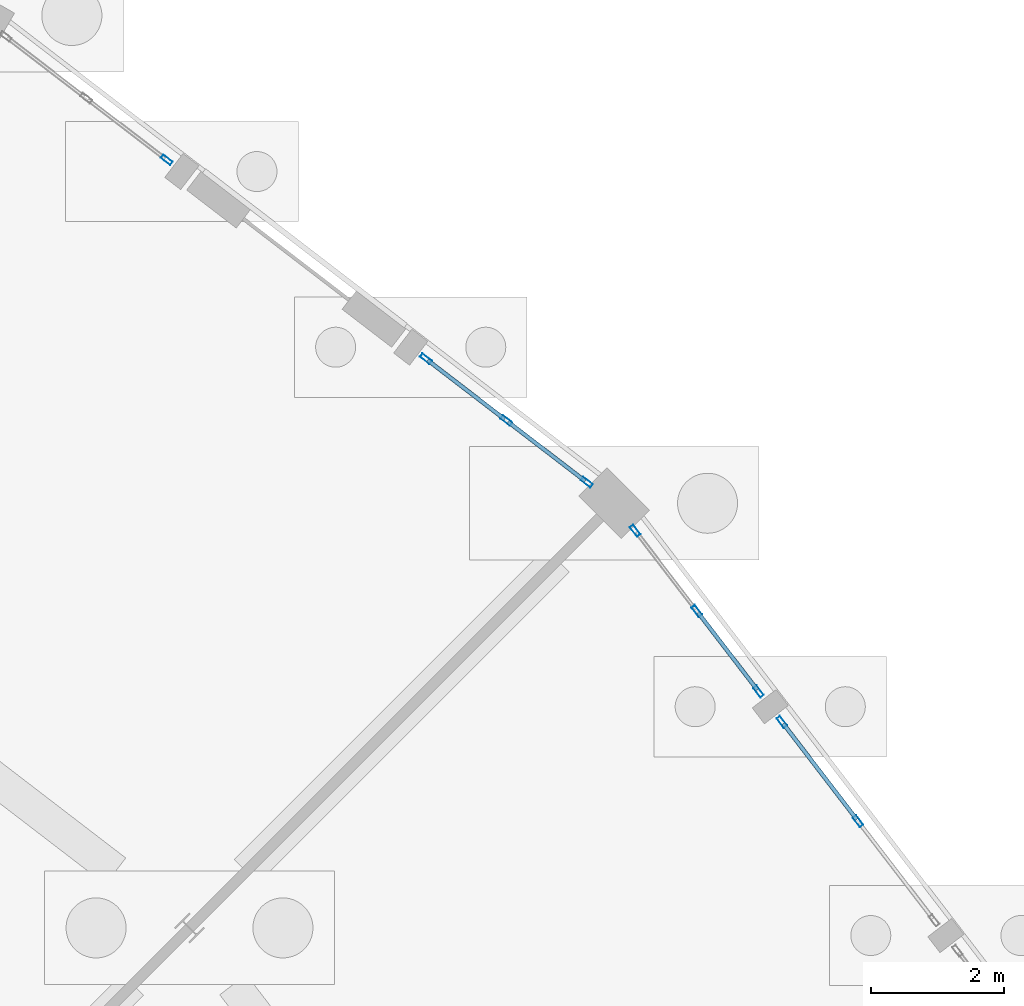
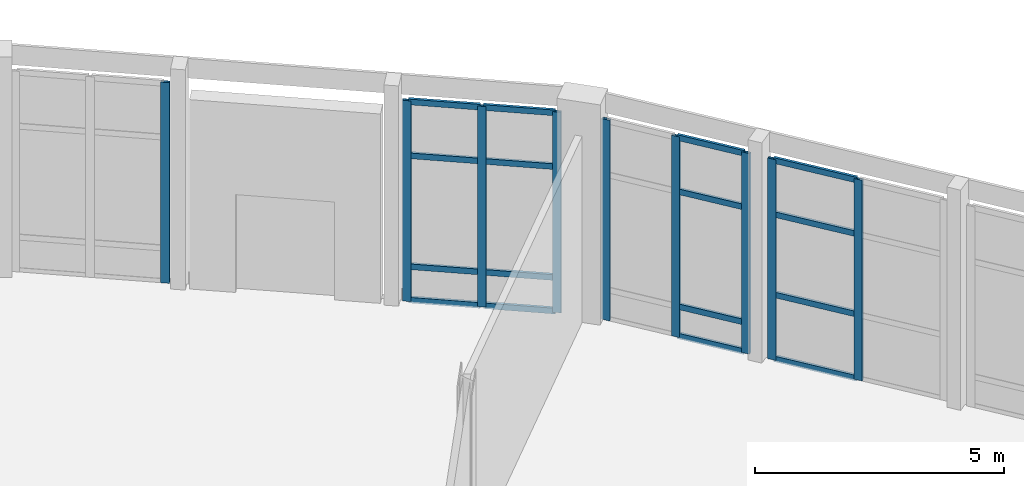
# One storey, part 81 of 137: 25 members, 4 elements without a shape of their own.
"""IFC4 building model written with IfcOpenShell, lengths in metres."""

from ifc_helpers import new_model, si_unit, direction, frame, origin, origin_2d, place, context, subcontext, project, spatial, hollow_rectangle, extrude, material, material_profile, profile_set, type_object, element, aggregate, save


model = new_model("IFC4")

# Units and contexts
model_context = context("Model", 3, precision=1e-05, world=origin(), true_north=direction((0.0, 1.0)))
body_context = subcontext(model_context, "Body", "Model", "MODEL_VIEW")
ifc_project = project(units=[si_unit("LENGTHUNIT", "METRE"), si_unit("AREAUNIT", "SQUARE_METRE"), si_unit("VOLUMEUNIT", "CUBIC_METRE"), si_unit("PLANEANGLEUNIT", "RADIAN"), si_unit("MASSUNIT", "GRAM", prefix="KILO")], contexts=[model_context])

# Site, building, storey
site_placement = place(None, origin())
site = spatial("IfcSite", under=ifc_project, at=site_placement, CompositionType="ELEMENT")
building_placement = place(site_placement, origin())
building = spatial("IfcBuilding", under=site, at=building_placement, Name="Vondelvale Polytechnic", CompositionType="ELEMENT")
storey_placement = place(building_placement, origin())
storey = spatial("IfcBuildingStorey", under=building, at=storey_placement, Name="L00", CompositionType="ELEMENT", Elevation=0.0)

# Curtain wall, members
ifc_material_1 = material(Name="Glulam GL18 structural Tasmanian oak (fb = 42 MPa)", Category="wood")
curtain_wall_type = type_object("IfcCurtainWallType", Name="CW-RING-OUTER", PredefinedType="NOTDEFINED", material=ifc_material_1)
curtain_wall_1_placement = place(storey_placement, origin())
curtain_wall_1 = element("IfcCurtainWall", 1, at=curtain_wall_1_placement, inside=storey, type_object=curtain_wall_type, Name="L00 architectural curtain wall CW-04-087", PredefinedType="NOTDEFINED")
ifc_material_2 = material(Name="Anodised extruded aluminium 6063-T6", Category="aluminium")
ifc_material_profile_1 = material_profile(ifc_material_2, hollow_rectangle(XDim=0.06494140625, YDim=0.179931640625, WallThickness=0.00390625, at=origin_2d()), Name="CW-MUL-180x65")
ifc_profile_set_1 = profile_set([ifc_material_profile_1], Name="Anodised extruded aluminium 6063-T6")
member_type_1 = type_object("IfcMemberType", Name="CW-MUL-65x180", PredefinedType="MULLION", material=ifc_profile_set_1)
member_1_placement = place(storey_placement, frame((138.18212890625, 99.763427734375, 0.0), z_axis=(0.0, 0.0, 1.0), x_axis=(-0.793345851043, -0.608771189063, 0.0)))
member_1 = element("IfcMember", 2, at=member_1_placement, type_object=member_type_1, Name="CW-04-087 mullion 2", PredefinedType="MULLION", context=body_context, shape_type="SweptSolid", body=[
    extrude(hollow_rectangle(XDim=0.06494140625, YDim=0.179931640625, WallThickness=0.00390625, at=origin_2d()), origin(), (0.0, 0.0, 1.0), 4.919921875),
])
member_2_placement = place(storey_placement, frame((137.041259765625, 101.250244140625, 0.0), z_axis=(0.0, 0.0, 1.0), x_axis=(-0.793345851043, -0.608771189063, 0.0)))
member_2 = element("IfcMember", 3, at=member_2_placement, type_object=member_type_1, Name="CW-04-087 mullion 3", PredefinedType="MULLION", context=body_context, shape_type="SweptSolid", body=[
    extrude(hollow_rectangle(XDim=0.06494140625, YDim=0.179931640625, WallThickness=0.00390625, at=origin_2d()), origin(), (0.0, 0.0, 1.0), 4.919921875),
])

curtain_wall_2_placement = place(storey_placement, origin())
curtain_wall_2 = element("IfcCurtainWall", 4, at=curtain_wall_2_placement, inside=storey, type_object=curtain_wall_type, Name="L00 architectural curtain wall CW-04-088", PredefinedType="NOTDEFINED")
member_3_placement = place(storey_placement, frame((136.691162109375, 101.706298828125, 0.0), z_axis=(0.0, 0.0, 1.0), x_axis=(-0.793351666305, -0.608763610584, 0.0)))
member_3 = element("IfcMember", 5, at=member_3_placement, type_object=member_type_1, Name="CW-04-088 mullion 1", PredefinedType="MULLION", context=body_context, shape_type="SweptSolid", body=[
    extrude(hollow_rectangle(XDim=0.06494140625, YDim=0.179931640625, WallThickness=0.00390625, at=origin_2d()), origin(), (0.0, 0.0, 1.0), 4.919921875),
])
member_4_placement = place(storey_placement, frame((135.766357421875, 102.911865234375, 0.0), z_axis=(0.0, 0.0, 1.0), x_axis=(-0.793351666305, -0.608763610584, 0.0)))
member_4 = element("IfcMember", 6, at=member_4_placement, type_object=member_type_1, Name="CW-04-088 mullion 2", PredefinedType="MULLION", context=body_context, shape_type="SweptSolid", body=[
    extrude(hollow_rectangle(XDim=0.06494140625, YDim=0.179931640625, WallThickness=0.00390625, at=origin_2d()), origin(), (0.0, 0.0, 1.0), 4.919921875),
])
member_5_placement = place(storey_placement, frame((134.84130859375, 104.1171875, 0.0), z_axis=(0.0, 0.0, 1.0), x_axis=(-0.793351666305, -0.608763610584, 0.0)))
member_5 = element("IfcMember", 7, at=member_5_placement, type_object=member_type_1, Name="CW-04-088 mullion 3", PredefinedType="MULLION", context=body_context, shape_type="SweptSolid", body=[
    extrude(hollow_rectangle(XDim=0.06494140625, YDim=0.179931640625, WallThickness=0.00390625, at=origin_2d()), origin(), (0.0, 0.0, 1.0), 4.919921875),
])

curtain_wall_3_placement = place(storey_placement, origin())
curtain_wall_3 = element("IfcCurtainWall", 8, at=curtain_wall_3_placement, inside=storey, type_object=curtain_wall_type, Name="L00 architectural curtain wall CW-04-098", PredefinedType="NOTDEFINED")
member_6_placement = place(storey_placement, frame((134.1171875, 104.84130859375, 0.0), z_axis=(0.0, 0.0, 1.0), x_axis=(-0.608763610584, -0.793351666305, 0.0)))
member_6 = element("IfcMember", 9, at=member_6_placement, type_object=member_type_1, Name="CW-04-098 mullion 1", PredefinedType="MULLION", context=body_context, shape_type="SweptSolid", body=[
    extrude(hollow_rectangle(XDim=0.06494140625, YDim=0.179931640625, WallThickness=0.00390625, at=origin_2d()), origin(), (0.0, 0.0, 1.0), 4.919921875),
])
member_7_placement = place(storey_placement, frame((132.911865234375, 105.766357421875, 0.0), z_axis=(0.0, 0.0, 1.0), x_axis=(-0.608763610584, -0.793351666305, 0.0)))
member_7 = element("IfcMember", 10, at=member_7_placement, type_object=member_type_1, Name="CW-04-098 mullion 2", PredefinedType="MULLION", context=body_context, shape_type="SweptSolid", body=[
    extrude(hollow_rectangle(XDim=0.06494140625, YDim=0.179931640625, WallThickness=0.00390625, at=origin_2d()), origin(), (0.0, 0.0, 1.0), 4.919921875),
])
member_8_placement = place(storey_placement, frame((131.706298828125, 106.691162109375, 0.0), z_axis=(0.0, 0.0, 1.0), x_axis=(-0.608763610584, -0.793351666305, 0.0)))
member_8 = element("IfcMember", 11, at=member_8_placement, type_object=member_type_1, Name="CW-04-098 mullion 3", PredefinedType="MULLION", context=body_context, shape_type="SweptSolid", body=[
    extrude(hollow_rectangle(XDim=0.06494140625, YDim=0.179931640625, WallThickness=0.00390625, at=origin_2d()), origin(), (0.0, 0.0, 1.0), 4.919921875),
])

# Curtain wall, member
curtain_wall_4_placement = place(storey_placement, origin())
curtain_wall_4 = element("IfcCurtainWall", 12, at=curtain_wall_4_placement, inside=storey, type_object=curtain_wall_type, Name="L00 architectural curtain wall CW-04-099", PredefinedType="NOTDEFINED")
member_9_placement = place(storey_placement, frame((127.820556640625, 109.6728515625, 0.0), z_axis=(0.0, 0.0, 1.0), x_axis=(-0.608763610584, -0.793351666305, 0.0)))
member_9 = element("IfcMember", 13, at=member_9_placement, type_object=member_type_1, Name="CW-04-099 mullion 1", PredefinedType="MULLION", context=body_context, shape_type="SweptSolid", body=[
    extrude(hollow_rectangle(XDim=0.06494140625, YDim=0.179931640625, WallThickness=0.00390625, at=origin_2d()), origin(), (0.0, 0.0, 1.0), 4.919921875),
])
aggregate(curtain_wall_4, [member_9])

# Member
ifc_material_profile_2 = material_profile(ifc_material_2, hollow_rectangle(XDim=0.06005859375, YDim=0.139892578125, WallThickness=0.00341796875, at=origin_2d()), Name="CW-TRN-140x60")
ifc_profile_set_2 = profile_set([ifc_material_profile_2], Name="Anodised extruded aluminium 6063-T6")
member_type_2 = type_object("IfcMemberType", Name="CW-TRN-60x140", PredefinedType="USERDEFINED", material=ifc_profile_set_2)
member_10_placement = place(storey_placement, frame((138.162353515625, 99.789306640625, 0.030029296875), z_axis=(-0.608816809849, 0.793310842007, 0.0), x_axis=(-0.793310842007, -0.608816809849, 0.0)))
member_10 = element("IfcMember", 14, at=member_10_placement, type_object=member_type_2, Name="CW-04-087 transom 2.1", ObjectType="TRANSOM", PredefinedType="USERDEFINED", context=body_context, shape_type="SweptSolid", body=[
    extrude(hollow_rectangle(XDim=0.06005859375, YDim=0.139892578125, WallThickness=0.00341796875, at=origin_2d()), origin(), (0.0, 0.0, 1.0), 1.808837890625),
])

member_11_placement = place(storey_placement, frame((138.162353515625, 99.789306640625, 1.60009765625), z_axis=(-0.608816809849, 0.793310842007, 0.0), x_axis=(-0.793310842007, -0.608816809849, 0.0)))
member_11 = element("IfcMember", 15, at=member_11_placement, type_object=member_type_2, Name="CW-04-087 transom 2.2", ObjectType="TRANSOM", PredefinedType="USERDEFINED", context=body_context, shape_type="SweptSolid", body=[
    extrude(hollow_rectangle(XDim=0.06005859375, YDim=0.139892578125, WallThickness=0.00341796875, at=origin_2d()), origin(), (0.0, 0.0, 1.0), 1.808837890625),
])

member_12_placement = place(storey_placement, frame((138.162353515625, 99.789306640625, 3.570068359375), z_axis=(-0.608816809849, 0.793310842007, 0.0), x_axis=(-0.793310842007, -0.608816809849, 0.0)))
member_12 = element("IfcMember", 16, at=member_12_placement, type_object=member_type_2, Name="CW-04-087 transom 2.3", ObjectType="TRANSOM", PredefinedType="USERDEFINED", context=body_context, shape_type="SweptSolid", body=[
    extrude(hollow_rectangle(XDim=0.06005859375, YDim=0.139892578125, WallThickness=0.00341796875, at=origin_2d()), origin(), (0.0, 0.0, 1.0), 1.808837890625),
])

member_13_placement = place(storey_placement, frame((138.162353515625, 99.789306640625, 4.889892578125), z_axis=(-0.608816809849, 0.793310842007, 0.0), x_axis=(-0.793310842007, -0.608816809849, 0.0)))
member_13 = element("IfcMember", 17, at=member_13_placement, type_object=member_type_2, Name="CW-04-087 transom 2.4", ObjectType="TRANSOM", PredefinedType="USERDEFINED", context=body_context, shape_type="SweptSolid", body=[
    extrude(hollow_rectangle(XDim=0.06005859375, YDim=0.139892578125, WallThickness=0.00341796875, at=origin_2d()), origin(), (0.0, 0.0, 1.0), 1.808837890625),
])

aggregate(curtain_wall_1, [member_1, member_2, member_10, member_11, member_12, member_13])

member_14_placement = place(storey_placement, frame((136.67138671875, 101.732177734375, 0.030029296875), z_axis=(-0.608720500097, 0.793384744473, 0.0), x_axis=(-0.793384744473, -0.608720500097, 0.0)))
member_14 = element("IfcMember", 18, at=member_14_placement, type_object=member_type_2, Name="CW-04-088 transom 1.1", ObjectType="TRANSOM", PredefinedType="USERDEFINED", context=body_context, shape_type="SweptSolid", body=[
    extrude(hollow_rectangle(XDim=0.06005859375, YDim=0.139892578125, WallThickness=0.00341796875, at=origin_2d()), origin(), (0.0, 0.0, 1.0), 1.454345703125),
])

member_15_placement = place(storey_placement, frame((136.67138671875, 101.732177734375, 0.75), z_axis=(-0.608720500097, 0.793384744473, 0.0), x_axis=(-0.793384744473, -0.608720500097, 0.0)))
member_15 = element("IfcMember", 19, at=member_15_placement, type_object=member_type_2, Name="CW-04-088 transom 1.2", ObjectType="TRANSOM", PredefinedType="USERDEFINED", context=body_context, shape_type="SweptSolid", body=[
    extrude(hollow_rectangle(XDim=0.06005859375, YDim=0.139892578125, WallThickness=0.00341796875, at=origin_2d()), origin(), (0.0, 0.0, 1.0), 1.454345703125),
])

member_16_placement = place(storey_placement, frame((136.67138671875, 101.732177734375, 3.570068359375), z_axis=(-0.608720500097, 0.793384744473, 0.0), x_axis=(-0.793384744473, -0.608720500097, 0.0)))
member_16 = element("IfcMember", 20, at=member_16_placement, type_object=member_type_2, Name="CW-04-088 transom 1.3", ObjectType="TRANSOM", PredefinedType="USERDEFINED", context=body_context, shape_type="SweptSolid", body=[
    extrude(hollow_rectangle(XDim=0.06005859375, YDim=0.139892578125, WallThickness=0.00341796875, at=origin_2d()), origin(), (0.0, 0.0, 1.0), 1.454345703125),
])

member_17_placement = place(storey_placement, frame((136.67138671875, 101.732177734375, 4.889892578125), z_axis=(-0.608720500097, 0.793384744473, 0.0), x_axis=(-0.793384744473, -0.608720500097, 0.0)))
member_17 = element("IfcMember", 21, at=member_17_placement, type_object=member_type_2, Name="CW-04-088 transom 1.4", ObjectType="TRANSOM", PredefinedType="USERDEFINED", context=body_context, shape_type="SweptSolid", body=[
    extrude(hollow_rectangle(XDim=0.06005859375, YDim=0.139892578125, WallThickness=0.00341796875, at=origin_2d()), origin(), (0.0, 0.0, 1.0), 1.454345703125),
])

aggregate(curtain_wall_2, [member_3, member_4, member_5, member_14, member_15, member_16, member_17])

member_18_placement = place(storey_placement, frame((134.09130859375, 104.861083984375, 0.030029296875), z_axis=(-0.793303669799, 0.608826155387, 0.0), x_axis=(-0.608826155387, -0.793303669799, 0.0)))
member_18 = element("IfcMember", 22, at=member_18_placement, type_object=member_type_2, Name="CW-04-098 transom 1.1", ObjectType="TRANSOM", PredefinedType="USERDEFINED", context=body_context, shape_type="SweptSolid", body=[
    extrude(hollow_rectangle(XDim=0.06005859375, YDim=0.139892578125, WallThickness=0.00341796875, at=origin_2d()), origin(), (0.0, 0.0, 1.0), 1.454345703125),
])

member_19_placement = place(storey_placement, frame((134.09130859375, 104.861083984375, 0.85009765625), z_axis=(-0.793303669799, 0.608826155387, 0.0), x_axis=(-0.608826155387, -0.793303669799, 0.0)))
member_19 = element("IfcMember", 23, at=member_19_placement, type_object=member_type_2, Name="CW-04-098 transom 1.2", ObjectType="TRANSOM", PredefinedType="USERDEFINED", context=body_context, shape_type="SweptSolid", body=[
    extrude(hollow_rectangle(XDim=0.06005859375, YDim=0.139892578125, WallThickness=0.00341796875, at=origin_2d()), origin(), (0.0, 0.0, 1.0), 1.454345703125),
])

member_20_placement = place(storey_placement, frame((134.09130859375, 104.861083984375, 3.570068359375), z_axis=(-0.793303669799, 0.608826155387, 0.0), x_axis=(-0.608826155387, -0.793303669799, 0.0)))
member_20 = element("IfcMember", 24, at=member_20_placement, type_object=member_type_2, Name="CW-04-098 transom 1.3", ObjectType="TRANSOM", PredefinedType="USERDEFINED", context=body_context, shape_type="SweptSolid", body=[
    extrude(hollow_rectangle(XDim=0.06005859375, YDim=0.139892578125, WallThickness=0.00341796875, at=origin_2d()), origin(), (0.0, 0.0, 1.0), 1.454345703125),
])

member_21_placement = place(storey_placement, frame((134.09130859375, 104.861083984375, 4.889892578125), z_axis=(-0.793303669799, 0.608826155387, 0.0), x_axis=(-0.608826155387, -0.793303669799, 0.0)))
member_21 = element("IfcMember", 25, at=member_21_placement, type_object=member_type_2, Name="CW-04-098 transom 1.4", ObjectType="TRANSOM", PredefinedType="USERDEFINED", context=body_context, shape_type="SweptSolid", body=[
    extrude(hollow_rectangle(XDim=0.06005859375, YDim=0.139892578125, WallThickness=0.00341796875, at=origin_2d()), origin(), (0.0, 0.0, 1.0), 1.454345703125),
])

member_22_placement = place(storey_placement, frame((132.885986328125, 105.7861328125, 0.030029296875), z_axis=(-0.793384744473, 0.608720500097, 0.0), x_axis=(-0.608720500097, -0.793384744473, 0.0)))
member_22 = element("IfcMember", 26, at=member_22_placement, type_object=member_type_2, Name="CW-04-098 transom 2.1", ObjectType="TRANSOM", PredefinedType="USERDEFINED", context=body_context, shape_type="SweptSolid", body=[
    extrude(hollow_rectangle(XDim=0.06005859375, YDim=0.139892578125, WallThickness=0.00341796875, at=origin_2d()), origin(), (0.0, 0.0, 1.0), 1.454345703125),
])

member_23_placement = place(storey_placement, frame((132.885986328125, 105.7861328125, 0.85009765625), z_axis=(-0.793384744473, 0.608720500097, 0.0), x_axis=(-0.608720500097, -0.793384744473, 0.0)))
member_23 = element("IfcMember", 27, at=member_23_placement, type_object=member_type_2, Name="CW-04-098 transom 2.2", ObjectType="TRANSOM", PredefinedType="USERDEFINED", context=body_context, shape_type="SweptSolid", body=[
    extrude(hollow_rectangle(XDim=0.06005859375, YDim=0.139892578125, WallThickness=0.00341796875, at=origin_2d()), origin(), (0.0, 0.0, 1.0), 1.454345703125),
])

member_24_placement = place(storey_placement, frame((132.885986328125, 105.7861328125, 3.570068359375), z_axis=(-0.793384744473, 0.608720500097, 0.0), x_axis=(-0.608720500097, -0.793384744473, 0.0)))
member_24 = element("IfcMember", 28, at=member_24_placement, type_object=member_type_2, Name="CW-04-098 transom 2.3", ObjectType="TRANSOM", PredefinedType="USERDEFINED", context=body_context, shape_type="SweptSolid", body=[
    extrude(hollow_rectangle(XDim=0.06005859375, YDim=0.139892578125, WallThickness=0.00341796875, at=origin_2d()), origin(), (0.0, 0.0, 1.0), 1.454345703125),
])

member_25_placement = place(storey_placement, frame((132.885986328125, 105.7861328125, 4.889892578125), z_axis=(-0.793384744473, 0.608720500097, 0.0), x_axis=(-0.608720500097, -0.793384744473, 0.0)))
member_25 = element("IfcMember", 29, at=member_25_placement, type_object=member_type_2, Name="CW-04-098 transom 2.4", ObjectType="TRANSOM", PredefinedType="USERDEFINED", context=body_context, shape_type="SweptSolid", body=[
    extrude(hollow_rectangle(XDim=0.06005859375, YDim=0.139892578125, WallThickness=0.00341796875, at=origin_2d()), origin(), (0.0, 0.0, 1.0), 1.454345703125),
])

aggregate(curtain_wall_3, [member_6, member_7, member_8, member_18, member_19, member_20, member_21, member_22, member_23, member_24, member_25])

save(model, "model.ifc")
